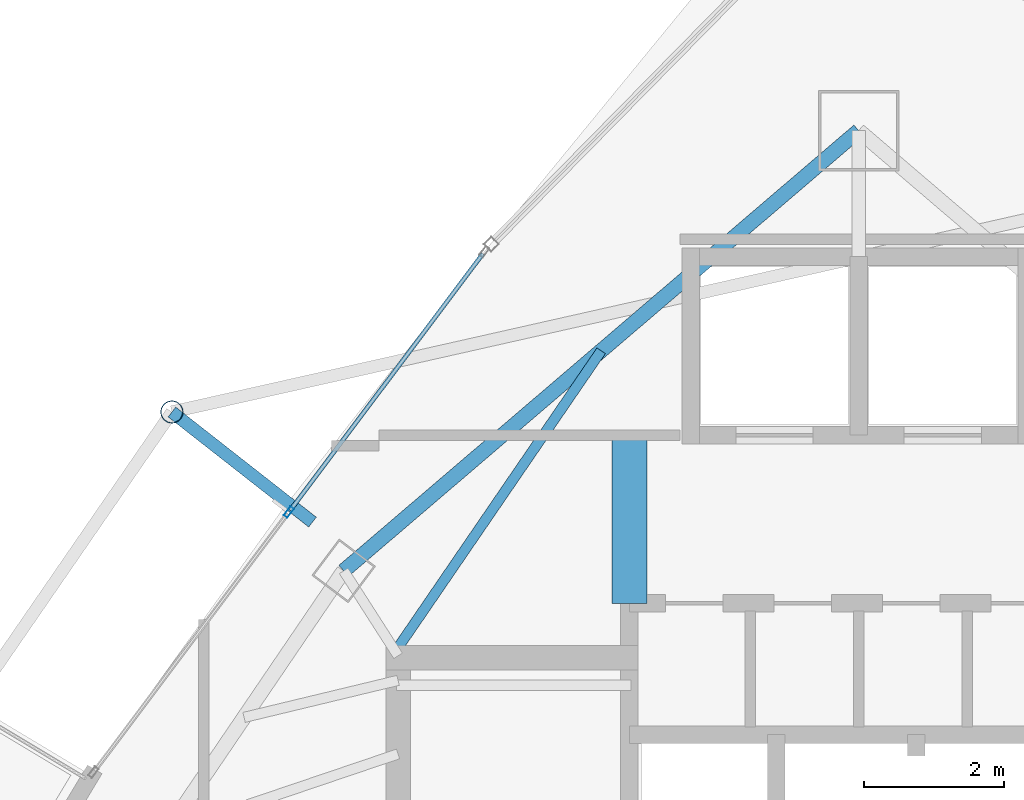
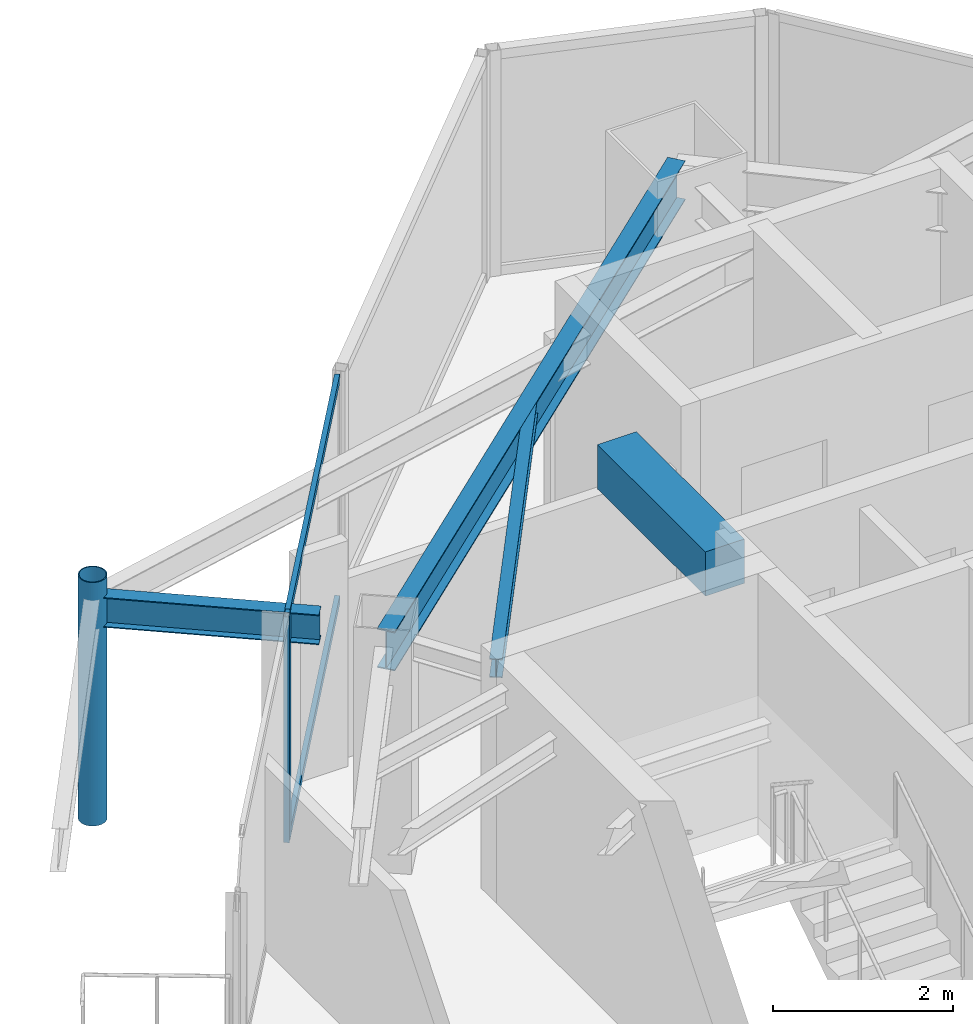
# One storey, part 20 of 30: 4 beams, 4 members, 1 element without a shape of its own.
"""IFC4 building model written with IfcOpenShell, lengths in metres."""

from ifc_helpers import new_model, si_unit, direction, frame, origin, origin_2d, place, context, subcontext, project, spatial, rectangle, hollow_rectangle, hollow_circle, i_section, extrude, material, layer, layer_set, material_profile, profile_set, type_object, element, aggregate, save


model = new_model("IFC4")

# Units and contexts
model_context = context("Model", 3, precision=1e-05, world=origin(), true_north=direction((0.0, 1.0)))
body_context = subcontext(model_context, "Body", "Model", "MODEL_VIEW")
ifc_project = project(units=[si_unit("LENGTHUNIT", "METRE"), si_unit("AREAUNIT", "SQUARE_METRE"), si_unit("VOLUMEUNIT", "CUBIC_METRE"), si_unit("PLANEANGLEUNIT", "RADIAN"), si_unit("MASSUNIT", "GRAM", prefix="KILO")], contexts=[model_context])

# Site, building, storey
site_placement = place(None, origin())
site = spatial("IfcSite", under=ifc_project, at=site_placement, CompositionType="ELEMENT")
building_placement = place(site_placement, origin())
building = spatial("IfcBuilding", under=site, at=building_placement, Name="Orvanel Arch Residences", CompositionType="ELEMENT")
storey_placement = place(building_placement, frame((0.0, 0.0, 270.050048828125)))
storey = spatial("IfcBuildingStorey", under=building, at=storey_placement, Name="L77", CompositionType="ELEMENT", Elevation=270.050048828125)

# Beams
ifc_material_1 = material(Name="Structural steel AS/NZS 3679.1 Grade 300 (300 MPa)", Category="steel")
ifc_material_profile_1 = material_profile(ifc_material_1, i_section(OverallWidth=0.14599609375, OverallDepth=0.251953125, WebThickness=0.006103515625, FlangeThickness=0.008544921875, at=origin_2d()), Name="250UB31.4")
ifc_profile_set_1 = profile_set([ifc_material_profile_1], Name="Structural steel AS/NZS 3679.1 Grade 300 (300 MPa)")
beam_type_1 = type_object("IfcBeamType", Name="BJ-250UB", PredefinedType="JOIST", material=ifc_profile_set_1)
beam_1_placement = place(storey_placement, frame((26.425048828125, 34.02001953125, 2.933837890625), z_axis=(0.564868085352, 0.825181220188, 0.0), x_axis=(-0.825181220188, 0.564868085352, 0.0)))
element("IfcBeam", 1, at=beam_1_placement, inside=storey, type_object=beam_type_1, Name="L77 NNW2 Wing Floor Joist", PredefinedType="JOIST", context=body_context, shape_type="SweptSolid", body=[
    extrude(i_section(OverallWidth=0.14599609375, OverallDepth=0.251953125, WebThickness=0.006103515625, FlangeThickness=0.008544921875, at=origin_2d()), origin(), (0.0, 0.0, 1.0), 5.132080078125),
])
ifc_material_2 = material(Name="Concrete S65 (65 MPa)", Category="concrete")
ifc_material_profile_2 = material_profile(ifc_material_2, rectangle(XDim=0.5, YDim=0.60009765625, at=origin_2d()), Name="RC500x600")
ifc_profile_set_2 = profile_set([ifc_material_profile_2], Name="Concrete S65 (65 MPa)")
beam_type_2 = type_object("IfcBeamType", Name="CB-500x600", PredefinedType="LINTEL", material=ifc_profile_set_2)
beam_2_placement = place(storey_placement, frame((29.72509765625, 34.64990234375, 2.760009765625), z_axis=(0.0, 1.0, 0.0), x_axis=(-1.0, 0.0, 0.0)))
element("IfcBeam", 2, at=beam_2_placement, inside=storey, type_object=beam_type_2, Name="L77 West Core Lobby Coupling Lintel Beam", PredefinedType="LINTEL", context=body_context, shape_type="SweptSolid", body=[
    extrude(rectangle(XDim=0.5, YDim=0.60009765625, at=origin_2d()), origin(), (0.0, 0.0, 1.0), 2.400146484375),
])

# Curtain wall, member
ifc_material_3 = material(Name="Bronze-anodised aluminium AA6063-T6", Category="aluminium")
ifc_layer = layer(ifc_material_3, 0.175048828125)
ifc_layer_set = layer_set([ifc_layer], Name="Bronze-anodised aluminium AA6063-T6")
curtain_wall_type = type_object("IfcCurtainWallType", Name="CW4-HI-SYS", PredefinedType="NOTDEFINED", material=ifc_layer_set)
curtain_wall_placement = place(storey_placement, origin())
curtain_wall = element("IfcCurtainWall", 3, at=curtain_wall_placement, inside=storey, type_object=curtain_wall_type, Name="L77 CW4-HI-SYS Unitised Curtain Wall", PredefinedType="NOTDEFINED")
ifc_material_profile_3 = material_profile(ifc_material_3, hollow_rectangle(XDim=0.06494140625, YDim=0.159912109375, WallThickness=0.00390625, at=origin_2d()), Name="ALU160x65x4")
ifc_profile_set_3 = profile_set([ifc_material_profile_3], Name="Bronze-anodised aluminium AA6063-T6")
member_type_1 = type_object("IfcMemberType", Name="MUL-160x65", PredefinedType="MULLION", material=ifc_profile_set_3)
member_1_placement = place(storey_placement, frame((24.865478515625, 35.951904296875, 0.0), z_axis=(0.0, 0.0, 1.0), x_axis=(0.799615096912, -0.60051286147, 0.0)))
member_1 = element("IfcMember", 4, at=member_1_placement, type_object=member_type_1, Name="CW-S4 mullion 2", PredefinedType="MULLION", context=body_context, shape_type="SweptSolid", body=[
    extrude(hollow_rectangle(XDim=0.06494140625, YDim=0.159912109375, WallThickness=0.00390625, at=origin_2d()), origin(), (0.0, 0.0, 1.0), 3.06005859375),
])

# Beams
ifc_material_profile_4 = material_profile(ifc_material_1, i_section(OverallWidth=0.177978515625, OverallDepth=0.406005859375, WebThickness=0.0078125, FlangeThickness=0.0126953125, at=origin_2d()), Name="410UB59.7")
ifc_profile_set_4 = profile_set([ifc_material_profile_4], Name="Structural steel AS/NZS 3679.1 Grade 300 (300 MPa)")
beam_type_3 = type_object("IfcBeamType", Name="OB-410UB-EXT", PredefinedType="SPANDREL", material=ifc_profile_set_4)
beam_3_placement = place(storey_placement, frame((25.202880859375, 35.80908203125, 2.85693359375), z_axis=(-0.787228053529, 0.616661975264, 0.0), x_axis=(-0.616661975264, -0.787228053529, 0.0)))
element("IfcBeam", 5, at=beam_3_placement, inside=storey, type_object=beam_type_3, Name="L77 Outer Frame Radial Tie Beam 01", PredefinedType="SPANDREL", context=body_context, shape_type="SweptSolid", body=[
    extrude(i_section(OverallWidth=0.177978515625, OverallDepth=0.406005859375, WebThickness=0.0078125, FlangeThickness=0.0126953125, at=origin_2d()), origin(), (0.0, 0.0, 1.0), 2.54931640625),
])
ifc_material_profile_5 = material_profile(ifc_material_1, i_section(OverallWidth=0.208984375, OverallDepth=0.532958984375, WebThickness=0.01025390625, FlangeThickness=0.015625, at=origin_2d()), Name="530UB92.4")
ifc_profile_set_5 = profile_set([ifc_material_profile_5], Name="Structural steel AS/NZS 3679.1 Grade 300 (300 MPa)")
beam_type_4 = type_object("IfcBeamType", Name="SP-530UB", PredefinedType="SPANDREL", material=ifc_profile_set_5)
beam_4_placement = place(storey_placement, frame((33.0, 41.39794921875, 2.7939453125), z_axis=(-0.760116518398, -0.649786794617, 0.0), x_axis=(0.649786794617, -0.760116518398, 0.0)))
element("IfcBeam", 6, at=beam_4_placement, inside=storey, type_object=beam_type_4, Name="L77 Perimeter Spandrel Beam 10", PredefinedType="SPANDREL", context=body_context, shape_type="SweptSolid", body=[
    extrude(i_section(OverallWidth=0.208984375, OverallDepth=0.532958984375, WebThickness=0.01025390625, FlangeThickness=0.015625, at=origin_2d()), origin(), (0.0, 0.0, 1.0), 9.67236328125),
])

# Member
ifc_material_4 = material(Name="Structural steel AS/NZS 1163 C350L0 (Grade 350)", Category="steel")
ifc_material_profile_6 = material_profile(ifc_material_4, hollow_circle(Radius=0.162109375, WallThickness=0.0126953125, at=origin_2d()), Name="CHS324x12.7")
ifc_profile_set_6 = profile_set([ifc_material_profile_6], Name="Structural steel AS/NZS 1163 C350L0 (Grade 350)")
member_type_2 = type_object("IfcMemberType", Name="ST-324CHS-EXT", PredefinedType="STRUT", material=ifc_profile_set_6)
member_2_placement = place(storey_placement, frame((23.196044921875, 37.381103515625, 0.0), z_axis=(0.0, 0.0, 1.0), x_axis=(1.0, 0.0, 0.0)))
element("IfcMember", 7, at=member_2_placement, inside=storey, type_object=member_type_2, Name="L77 Outer Perimeter Frame Post 01", PredefinedType="STRUT", context=body_context, shape_type="SweptSolid", body=[
    extrude(hollow_circle(Radius=0.162109375, WallThickness=0.0126953125, at=origin_2d()), origin(), (0.0, 0.0, 1.0), 3.300048828125),
])

ifc_material_profile_7 = material_profile(ifc_material_3, hollow_rectangle(XDim=0.06005859375, YDim=0.1201171875, WallThickness=0.00341796875, at=origin_2d()), Name="ALU120x60x3.5")
ifc_profile_set_7 = profile_set([ifc_material_profile_7], Name="Bronze-anodised aluminium AA6063-T6")
member_type_3 = type_object("IfcMemberType", Name="TRN-120x60", PredefinedType="USERDEFINED", material=ifc_profile_set_7)
member_3_placement = place(storey_placement, frame((27.635986328125, 39.64111328125, 0.030029296875), z_axis=(-0.600511495191, -0.799616122989, 0.0), x_axis=(0.799616122989, -0.600511495191, 0.0)))
member_3 = element("IfcMember", 8, at=member_3_placement, type_object=member_type_3, Name="CW-S4 transom 1.1", ObjectType="TRANSOM", PredefinedType="USERDEFINED", context=body_context, shape_type="SweptSolid", body=[
    extrude(hollow_rectangle(XDim=0.06005859375, YDim=0.1201171875, WallThickness=0.00341796875, at=origin_2d()), origin(), (0.0, 0.0, 1.0), 4.5810546875),
])

member_4_placement = place(storey_placement, frame((27.635986328125, 39.64111328125, 3.030029296875), z_axis=(-0.600511495191, -0.799616122989, 0.0), x_axis=(0.799616122989, -0.600511495191, 0.0)))
member_4 = element("IfcMember", 9, at=member_4_placement, type_object=member_type_3, Name="CW-S4 transom 1.2", ObjectType="TRANSOM", PredefinedType="USERDEFINED", context=body_context, shape_type="SweptSolid", body=[
    extrude(hollow_rectangle(XDim=0.06005859375, YDim=0.1201171875, WallThickness=0.00341796875, at=origin_2d()), origin(), (0.0, 0.0, 1.0), 4.5810546875),
])

aggregate(curtain_wall, [member_1, member_3, member_4])

save(model, "model.ifc")
